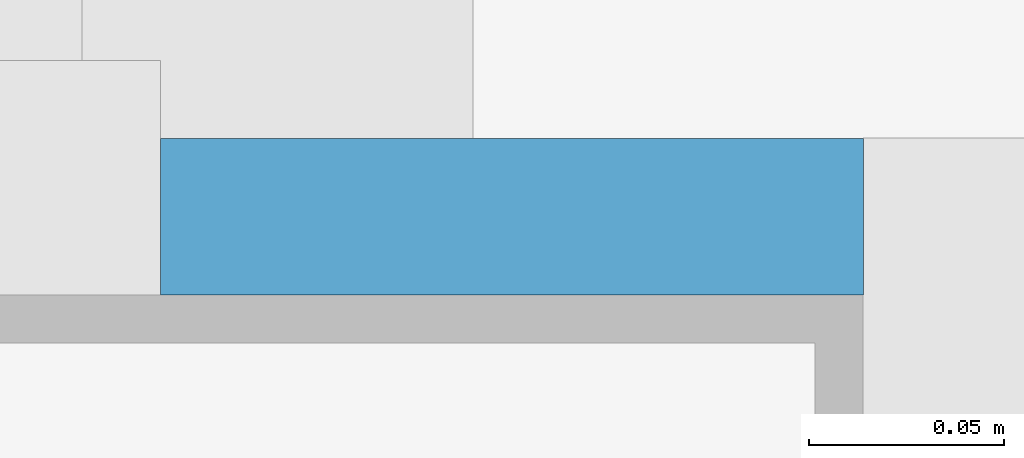
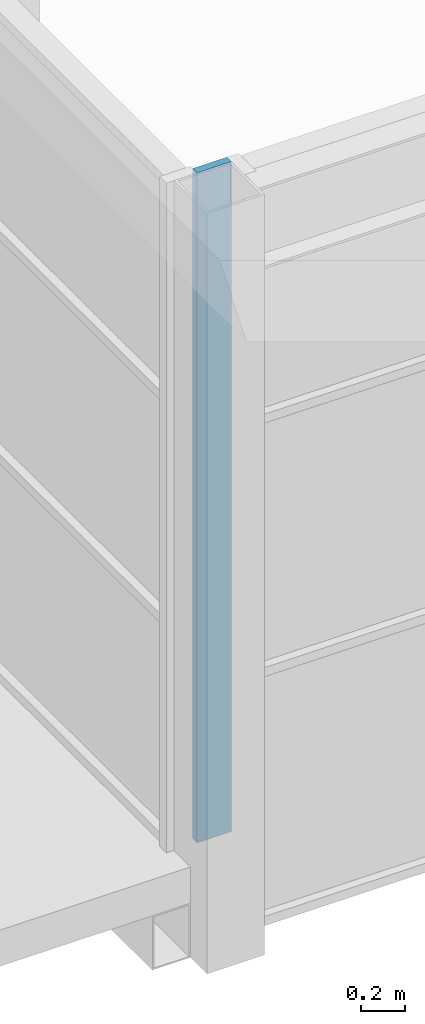
# One storey, part 103 of 182: 1 discrete accessory.
"""IFC4 building model written with IfcOpenShell, lengths in metres."""

from ifc_helpers import new_model, si_unit, direction, frame, origin, origin_2d, place, context, subcontext, project, spatial, rectangle, extrude, material, type_object, element, save


model = new_model("IFC4")

# Units and contexts
model_context = context("Model", 3, precision=1e-05, world=origin(), true_north=direction((0.0, 1.0)))
body_context = subcontext(model_context, "Body", "Model", "MODEL_VIEW")
ifc_project = project(units=[si_unit("LENGTHUNIT", "METRE"), si_unit("AREAUNIT", "SQUARE_METRE"), si_unit("VOLUMEUNIT", "CUBIC_METRE"), si_unit("PLANEANGLEUNIT", "RADIAN"), si_unit("MASSUNIT", "GRAM", prefix="KILO")], contexts=[model_context])

# Site, building, storey
site_placement = place(None, origin())
site = spatial("IfcSite", under=ifc_project, at=site_placement, CompositionType="ELEMENT")
building_placement = place(site_placement, origin())
building = spatial("IfcBuilding", under=site, at=building_placement, Name="Silverbay Arena", CompositionType="ELEMENT")
storey_placement = place(building_placement, frame((0.0, 0.0, 11.5)))
storey = spatial("IfcBuildingStorey", under=building, at=storey_placement, Name="L02", CompositionType="ELEMENT", Elevation=11.5)

# Discrete accessory
ifc_material = material(Name="Steel S355", Category="steel")
discrete_accessory_type = type_object("IfcDiscreteAccessoryType", Name="Steel bracket plate", PredefinedType="BRACKET", material=ifc_material)
discrete_accessory_placement = place(storey_placement, frame((18.760009765625, 54.169921875, 0.5), z_axis=(0.0, 0.0, 1.0), x_axis=(1.0, 0.0, 0.0)))
element("IfcDiscreteAccessory", 1, at=discrete_accessory_placement, inside=storey, type_object=discrete_accessory_type, Name="Glazing corner closer plate", PredefinedType="BRACKET", context=body_context, shape_type="SweptSolid", body=[
    extrude(rectangle(XDim=0.179931640625, YDim=0.0400390625, at=origin_2d()), origin(), (0.0, 0.0, 1.0), 3.699951171875),
])

save(model, "model.ifc")
